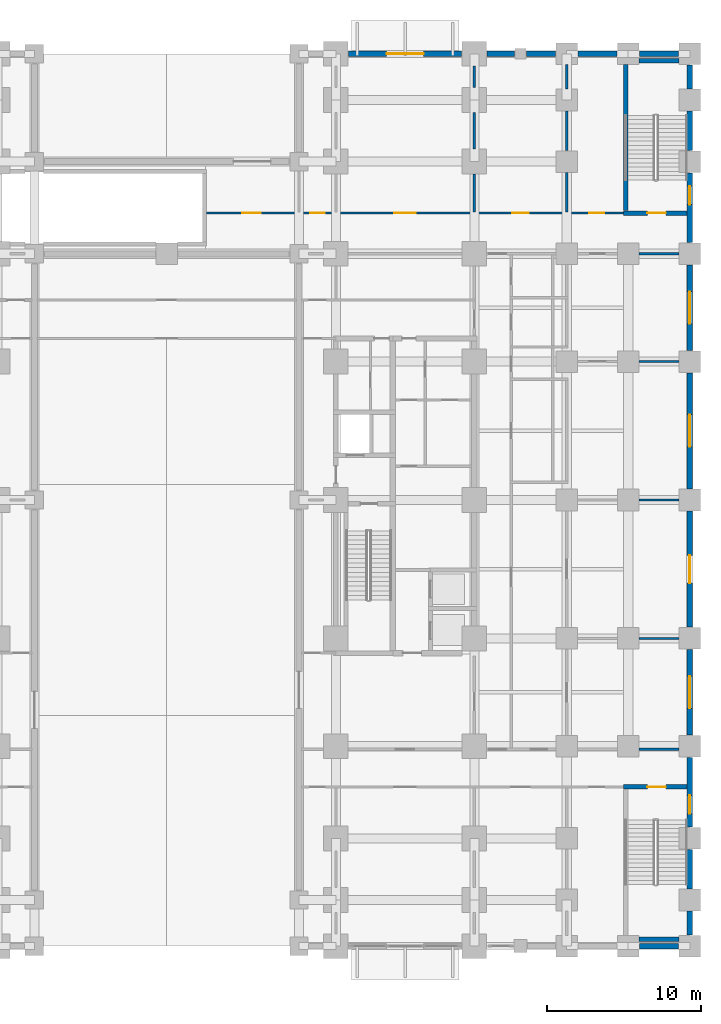
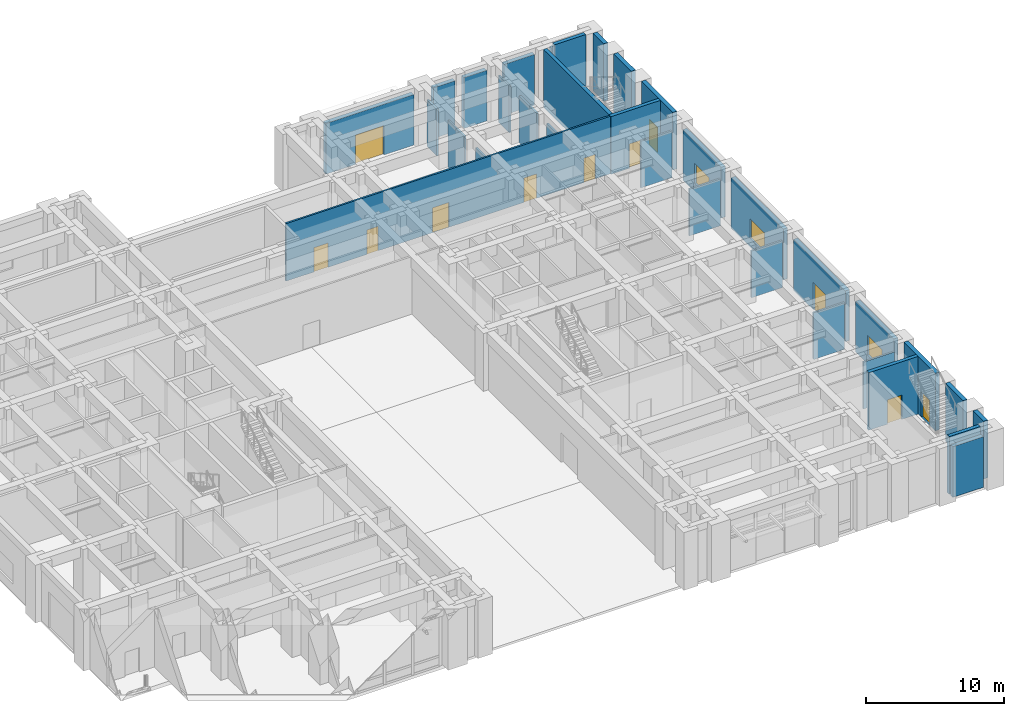
# One storey, part 12 of 20: 33 walls, 11 doors, 3 windows, 14 openings.
"""IFC4 building model written with IfcOpenShell, lengths in metres."""

import ifcopenshell
import ifcopenshell.guid

model = None  # the IFC model being written
_history = None  # IfcOwnerHistory: only IFC2X3 demands one
_inside = {}  # id of a spatial element -> (the spatial element, [elements in it])
_under = {}  # id of a project, library or spatial element -> (it, [spatial elements below it])
_declared = {}  # id of a project -> (the project, [libraries it declares])
_typed = {}  # id of a type object -> (the type object, [elements of that type])
_made_of = {}  # id of a material, layer set ... -> (it, [elements and type objects made of it])


def new_model(schema):
    """Start an empty IFC model of exactly this schema.

    Asked for "IFC4X3", IfcOpenShell would pick the latest addendum, in which some entities
    have other attributes; the version numbers below select the first issue.
    IFC2X3 requires an IfcOwnerHistory on every rooted entity: one is made here for all.
    """
    global model, _history
    if schema == "IFC4X3":
        model = ifcopenshell.file(schema_version=(4, 3, 0, 0))
    else:
        model = ifcopenshell.file(schema=schema)
    _inside.clear()
    _under.clear()
    _declared.clear()
    _typed.clear()
    _made_of.clear()
    _history = None
    if model.schema == "IFC2X3":
        org = make("IfcOrganization", Name="unknown")
        user = make(
            "IfcPersonAndOrganization",
            ThePerson=make("IfcPerson", FamilyName="unknown"),
            TheOrganization=org,
        )
        app = make(
            "IfcApplication",
            ApplicationDeveloper=org,
            Version="unknown",
            ApplicationFullName="unknown",
            ApplicationIdentifier="unknown",
        )
        _history = make(
            "IfcOwnerHistory",
            OwningUser=user,
            OwningApplication=app,
            ChangeAction="ADDED",
            CreationDate=0,
        )
    return model


def make(cls, **values):
    """One entity of the class cls with the attributes given. An attribute that is None is left unset."""
    return model.create_entity(
        cls, **{name: value for name, value in values.items() if value is not None}
    )


def rooted(cls, **values):
    """An entity with a GlobalId (a new one), such as an element, a storey or a relation."""
    return make(cls, GlobalId=ifcopenshell.guid.new(), OwnerHistory=_history, **values)


def si_unit(unit_type, name, prefix=None):
    """IfcSIUnit, for example si_unit("LENGTHUNIT", "METRE", prefix="MILLI")."""
    return make("IfcSIUnit", UnitType=unit_type, Prefix=prefix, Name=name)


def assignment(units):
    """IfcUnitAssignment: the units of a project."""
    return None if units is None else make("IfcUnitAssignment", Units=units)


def point(xyz):
    """IfcCartesianPoint."""
    return None if xyz is None else make("IfcCartesianPoint", Coordinates=xyz)


def direction(xyz):
    """IfcDirection."""
    return None if xyz is None else make("IfcDirection", DirectionRatios=xyz)


def frame(location, z_axis=None, x_axis=None):
    """IfcAxis2Placement3D, a coordinate frame: its origin and axes. An axis left out is left unset."""
    return make(
        "IfcAxis2Placement3D",
        Location=point(location),
        Axis=direction(z_axis),
        RefDirection=direction(x_axis),
    )


def frame_2d(location, x_axis=None):
    """IfcAxis2Placement2D, a coordinate frame in the plane: its origin and x axis."""
    return make(
        "IfcAxis2Placement2D", Location=point(location), RefDirection=direction(x_axis)
    )


def origin():
    """The frame at (0, 0, 0) with its axes left unset."""
    return frame((0.0, 0.0, 0.0))


def place(relative_to, where):
    """IfcLocalPlacement: puts the frame where relative to a parent placement (None: the world)."""
    return make(
        "IfcLocalPlacement", PlacementRelTo=relative_to, RelativePlacement=where
    )


def context(
    kind, dimensions, precision=None, world=None, true_north=None, identifier=None
):
    """IfcGeometricRepresentationContext, for example the 3D "Model" context."""
    return make(
        "IfcGeometricRepresentationContext",
        ContextIdentifier=identifier,
        ContextType=kind,
        CoordinateSpaceDimension=dimensions,
        Precision=precision,
        WorldCoordinateSystem=world,
        TrueNorth=true_north,
    )


def subcontext(parent, identifier, kind, view, scale=None):
    """IfcGeometricRepresentationSubContext, for example "Body" below "Model"."""
    return make(
        "IfcGeometricRepresentationSubContext",
        ContextIdentifier=identifier,
        ContextType=kind,
        ParentContext=parent,
        TargetScale=scale,
        TargetView=view,
    )


def project(units=None, contexts=None):
    """IfcProject with its units and contexts."""
    return rooted(
        "IfcProject",
        Name="project",
        RepresentationContexts=contexts,
        UnitsInContext=assignment(units),
    )


def spatial(cls, under=None, at=None, **own):
    """A site, building, storey or space (cls), placed at a placement, below another one or the project."""
    s = rooted(cls, ObjectPlacement=at, **own)
    if under is not None:
        _under.setdefault(under.id(), (under, []))[1].append(s)
    return s


def profile(cls, at=None, kind="AREA", **sizes):
    """A parametric profile (cls). Its sizes go by their IFC names, for example OverallWidth=200.0."""
    return make(cls, ProfileType=kind, Position=at, **sizes)


def rectangle(**sizes):
    """IfcRectangleProfileDef."""
    return profile("IfcRectangleProfileDef", **sizes)


def extrude(swept, where, along, depth):
    """IfcExtrudedAreaSolid: the profile swept, set in the frame where, extruded along a direction by depth."""
    return make(
        "IfcExtrudedAreaSolid",
        SweptArea=swept,
        Position=where,
        ExtrudedDirection=direction(along),
        Depth=depth,
    )


def shape(context_of_items, identifier, shape_type, items):
    """IfcShapeRepresentation: the items that make up one representation, for example the "Body"."""
    return make(
        "IfcShapeRepresentation",
        ContextOfItems=context_of_items,
        RepresentationIdentifier=identifier,
        RepresentationType=shape_type,
        Items=items,
    )


def material(Name=None, Category=None):
    """IfcMaterial."""
    return make("IfcMaterial", Name=Name, Category=Category)


def layer(
    of_material, thickness, ventilated=None, Name=None, Category=None, Priority=None
):
    """IfcMaterialLayer: one layer of a wall or slab, of a material (None: an air gap)."""
    return make(
        "IfcMaterialLayer",
        Material=of_material,
        LayerThickness=thickness,
        IsVentilated=ventilated,
        Name=Name,
        Category=Category,
        Priority=Priority,
    )


def layer_set(layers, Name=None):
    """IfcMaterialLayerSet."""
    return make("IfcMaterialLayerSet", MaterialLayers=layers, LayerSetName=Name)


def made_of(thing, what):
    """Note that an element or type object is made of a material, layer set ...; save() writes the relation."""
    if what is not None:
        _made_of.setdefault(what.id(), (what, []))[1].append(thing)
    return thing


def type_object(cls, material=None, **own):
    """A type object (cls), such as IfcWallType, which elements share."""
    return made_of(rooted(cls, **own), material)


def element(
    cls,
    number,
    at=None,
    inside=None,
    cuts=None,
    type_object=None,
    material=None,
    context=None,
    identifier="Body",
    shape_type=None,
    held_by="IfcProductDefinitionShape",
    body=None,
    shapes=None,
    **own,
):
    """One element of the class cls, such as IfcWall. Its Tag is "e" and its number.

    at: its placement. inside: the storey or other place that contains it. cuts: it is an
    opening in that element (IfcRelVoidsElement). A single representation is given by context,
    identifier, shape_type and body (its items); several are given by shapes. held_by: the class
    of the entity that holds the representations. save() writes the other relations.
    """
    e = rooted(cls, Tag="e%d" % number, ObjectPlacement=at, **own)
    if body is not None:
        shapes = [shape(context, identifier, shape_type, body)]
    if shapes is not None:
        e.Representation = make(held_by, Representations=shapes)
    if inside is not None:
        _inside.setdefault(inside.id(), (inside, []))[1].append(e)
    if cuts is not None:
        rooted(
            "IfcRelVoidsElement", RelatingBuildingElement=cuts, RelatedOpeningElement=e
        )
    if type_object is not None:
        _typed.setdefault(type_object.id(), (type_object, []))[1].append(e)
    return made_of(e, material)


def fill(opening, filler):
    """IfcRelFillsElement: the door or window that sits in an opening."""
    return rooted(
        "IfcRelFillsElement",
        RelatingOpeningElement=opening,
        RelatedBuildingElement=filler,
    )


def aggregate(whole, parts):
    """IfcRelAggregates: a whole, such as a stair, and the parts it consists of."""
    return rooted("IfcRelAggregates", RelatingObject=whole, RelatedObjects=parts)


def save(model, path):
    """Write the relations noted so far, then the file.

    IfcRelAggregates (storeys below a building ...), IfcRelContainedInSpatialStructure (elements
    in a storey), IfcRelDefinesByType, IfcRelAssociatesMaterial and IfcRelDeclares: one each for
    every whole, place, type object, material and project.
    """
    for whole, parts in _under.values():
        aggregate(whole, parts)
    for where, things in _inside.values():
        rooted(
            "IfcRelContainedInSpatialStructure",
            RelatedElements=things,
            RelatingStructure=where,
        )
    for kind, things in _typed.values():
        rooted("IfcRelDefinesByType", RelatedObjects=things, RelatingType=kind)
    for what, things in _made_of.values():
        rooted("IfcRelAssociatesMaterial", RelatedObjects=things, RelatingMaterial=what)
    for by, libraries in _declared.values():
        rooted("IfcRelDeclares", RelatingContext=by, RelatedDefinitions=libraries)
    model.write(path)


model = new_model("IFC4")

# Units and contexts
model_context = context("Model", 3, precision=1e-05, world=origin(), true_north=direction((0.0, 1.0)))
body_context = subcontext(model_context, "Body", "Model", "MODEL_VIEW")
ifc_project = project(units=[si_unit("LENGTHUNIT", "METRE"), si_unit("AREAUNIT", "SQUARE_METRE"), si_unit("VOLUMEUNIT", "CUBIC_METRE"), si_unit("PLANEANGLEUNIT", "RADIAN"), si_unit("MASSUNIT", "GRAM", prefix="KILO")], contexts=[model_context])

# Site, building, storey
site_placement = place(None, origin())
site = spatial("IfcSite", under=ifc_project, at=site_placement, CompositionType="ELEMENT")
building_placement = place(site_placement, origin())
building = spatial("IfcBuilding", under=site, at=building_placement, Name="Zulmaris Gate Convention Tower", CompositionType="ELEMENT")
storey_placement = place(building_placement, origin())
storey = spatial("IfcBuildingStorey", under=building, at=storey_placement, Name="L00", CompositionType="ELEMENT", Elevation=0.0)

# Wall
ifc_material_1 = material(Name="Concrete C50/60", Category="concrete")
ifc_layer_1 = layer(ifc_material_1, 0.300048828125, Name="Concrete C50/60")
ifc_layer_set_1 = layer_set([ifc_layer_1], Name="Concrete C50/60")
wall_type_1 = type_object("IfcWallType", Name="CORE-300", PredefinedType="SHEAR", material=ifc_layer_set_1)
wall_1_placement = place(storey_placement, frame((30.7041015625, -28.550048828125, 0.0), z_axis=(0.0, 0.0, 1.0), x_axis=(1.0, 0.0, 0.0)))
element("IfcWall", 1, at=wall_1_placement, inside=storey, type_object=wall_type_1, Name="WL-L00-002", PredefinedType="SHEAR", context=body_context, shape_type="SweptSolid", body=[
    extrude(rectangle(XDim=2.591796875, YDim=0.300048828125, at=frame_2d((1.2958984375, 0.0))), origin(), (0.0, 0.0, 1.0), 5.08984375),
])

# Wall, opening, door
wall_2_placement = place(storey_placement, frame((29.699951171875, -18.64990234375, 0.0), z_axis=(0.0, 0.0, 1.0), x_axis=(1.0, 0.0, 0.0)))
wall_2 = element("IfcWall", 2, at=wall_2_placement, inside=storey, type_object=wall_type_1, Name="WL-L00-004", PredefinedType="SHEAR", context=body_context, shape_type="SweptSolid", body=[
    extrude(rectangle(XDim=4.135009765625, YDim=0.300048828125, at=frame_2d((2.0673828125, 0.0))), origin(), (0.0, 0.0, 1.0), 5.08984375),
])
opening_1_placement = place(wall_2_placement, frame((1.550048828125, 0.0, 0.0)))
opening_1 = element("IfcOpeningElement", 3, at=opening_1_placement, cuts=wall_2, Name="Opening D-13", PredefinedType="OPENING", context=body_context, shape_type="SweptSolid", body=[
    extrude(rectangle(XDim=1.199951171875, YDim=2.14990234375, at=frame_2d((0.60009765625, 1.074951171875))), frame((0.0, 0.16015625, 0.0), z_axis=(0.0, -1.0, 0.0), x_axis=(1.0, 0.0, 0.0)), (0.0, 0.0, 1.0), 0.320068359375),
])
ifc_material_2 = material(Name="Fire-Rated Steel", Category="steel")
door_type_1 = type_object("IfcDoorType", Name="DR-1200-FD", OperationType="NOTDEFINED", PredefinedType="DOOR", material=ifc_material_2)
door_1_placement = place(opening_1_placement, origin())
door_1 = element("IfcDoor", 4, at=door_1_placement, inside=storey, type_object=door_type_1, Name="L00 Exit Stair ST-6 Door 29", OperationType="SINGLE_SWING_RIGHT", OverallHeight=2.14990234375, OverallWidth=1.199951171875, PredefinedType="DOOR", context=body_context, shape_type="SweptSolid", body=[
    extrude(rectangle(XDim=1.199951171875, YDim=2.14990234375, at=frame_2d((0.60009765625, 1.074951171875))), frame((0.0, 0.02490234375, 0.0), z_axis=(0.0, -1.0, 0.0), x_axis=(1.0, 0.0, 0.0)), (0.0, 0.0, 1.0), 0.050048828125),
])
fill(opening_1, door_1)

wall_3_placement = place(storey_placement, frame((29.699951171875, 18.64990234375, 0.0), z_axis=(0.0, 0.0, 1.0), x_axis=(1.0, 0.0, 0.0)))
wall_3 = element("IfcWall", 5, at=wall_3_placement, inside=storey, type_object=wall_type_1, Name="WL-L00-028", PredefinedType="SHEAR", context=body_context, shape_type="SweptSolid", body=[
    extrude(rectangle(XDim=4.135009765625, YDim=0.300048828125, at=frame_2d((2.0673828125, 0.0))), origin(), (0.0, 0.0, 1.0), 5.08984375),
])
opening_2_placement = place(wall_3_placement, frame((1.550048828125, 0.0, 0.0)))
opening_2 = element("IfcOpeningElement", 6, at=opening_2_placement, cuts=wall_3, Name="Opening D-13", PredefinedType="OPENING", context=body_context, shape_type="SweptSolid", body=[
    extrude(rectangle(XDim=1.199951171875, YDim=2.14990234375, at=frame_2d((0.60009765625, 1.074951171875))), frame((0.0, 0.16015625, 0.0), z_axis=(0.0, -1.0, 0.0), x_axis=(1.0, 0.0, 0.0)), (0.0, 0.0, 1.0), 0.320068359375),
])
door_2_placement = place(opening_2_placement, origin())
door_2 = element("IfcDoor", 7, at=door_2_placement, inside=storey, type_object=door_type_1, Name="L00 Exit Stair ST-5 Door 28", OperationType="SINGLE_SWING_LEFT", OverallHeight=2.14990234375, OverallWidth=1.199951171875, PredefinedType="DOOR", context=body_context, shape_type="SweptSolid", body=[
    extrude(rectangle(XDim=1.199951171875, YDim=2.14990234375, at=frame_2d((0.60009765625, 1.074951171875))), frame((0.0, 0.02490234375, 0.0), z_axis=(0.0, -1.0, 0.0), x_axis=(1.0, 0.0, 0.0)), (0.0, 0.0, 1.0), 0.050048828125),
])
fill(opening_2, door_2)

# Walls
wall_4_placement = place(storey_placement, frame((30.7041015625, 28.550048828125, 0.0), z_axis=(0.0, 0.0, 1.0), x_axis=(1.0, 0.0, 0.0)))
element("IfcWall", 8, at=wall_4_placement, inside=storey, type_object=wall_type_1, Name="WL-L00-030", PredefinedType="SHEAR", context=body_context, shape_type="SweptSolid", body=[
    extrude(rectangle(XDim=2.591796875, YDim=0.300048828125, at=frame_2d((1.2958984375, 0.0))), origin(), (0.0, 0.0, 1.0), 5.08984375),
])
wall_5_placement = place(storey_placement, frame((29.85009765625, 18.802001953125, 0.0), z_axis=(0.0, 0.0, 1.0), x_axis=(0.0, 1.0, 0.0)))
element("IfcWall", 9, at=wall_5_placement, inside=storey, type_object=wall_type_1, Name="WL-L00-107", PredefinedType="SHEAR", context=body_context, shape_type="SweptSolid", body=[
    extrude(rectangle(XDim=9.493896484375, YDim=0.300048828125, at=frame_2d((4.7470703125, 0.0))), origin(), (0.0, 0.0, 1.0), 5.08984375),
])
ifc_material_3 = material(Name="Gypsum Metal Stud Partition")
ifc_layer_2 = layer(ifc_material_3, 0.14990234375, Name="Gypsum Metal Stud Partition")
ifc_layer_set_2 = layer_set([ifc_layer_2], Name="Gypsum Metal Stud Partition")
wall_type_2 = type_object("IfcWallType", Name="PART-150", PredefinedType="PARTITIONING", material=ifc_layer_set_2)
for number, where, z_axis, x_axis, name in (
    (10, (30.7060546875, -16.199951171875, 0.0), (0.0, 0.0, 1.0), (1.0, 0.0, 0.0), "WL-L00-036S4"),
    (11, (30.7060546875, -9.0, 0.0), (0.0, 0.0, 1.0), (1.0, 0.0, 0.0), "WL-L00-040S1"),
    (12, (30.7060546875, 0.0, 0.0), (0.0, 0.0, 1.0), (1.0, 0.0, 0.0), "WL-L00-046S1"),
    (13, (30.7060546875, 9.0, 0.0), (0.0, 0.0, 1.0), (1.0, 0.0, 0.0), "WL-L00-052S1"),
    (14, (30.7060546875, 16.0, 0.0), (0.0, 0.0, 1.0), (1.0, 0.0, 0.0), "WL-L00-063S4"),
):
    element("IfcWall", number, at=place(storey_placement, frame(where, z_axis=z_axis, x_axis=x_axis)), inside=storey, type_object=wall_type_2, Name=name, PredefinedType="PARTITIONING", context=body_context, shape_type="SweptSolid", body=[
        extrude(rectangle(XDim=2.587890625, YDim=0.14990234375, at=frame_2d((1.2939453125, 0.0))), origin(), (0.0, 0.0, 1.0), 4.1318359375),
    ])

# Wall, openings, doors
wall_6_placement = place(storey_placement, frame((2.577880859375, 18.64990234375, 0.0), z_axis=(0.0, 0.0, 1.0), x_axis=(1.0, 0.0, 0.0)))
wall_6 = element("IfcWall", 15, at=wall_6_placement, inside=storey, type_object=wall_type_2, Name="WL-L00-064", PredefinedType="PARTITIONING", context=body_context, shape_type="SweptSolid", body=[
    extrude(rectangle(XDim=27.272216796875, YDim=0.14990234375, at=frame_2d((13.63623046875, 0.0))), origin(), (0.0, 0.0, 1.0), 5.08984375),
])
opening_3_placement = place(wall_6_placement, frame((2.322021484375, 0.0, 0.0)))
opening_3 = element("IfcOpeningElement", 16, at=opening_3_placement, cuts=wall_6, Name="Opening D-13", PredefinedType="OPENING", context=body_context, shape_type="SweptSolid", body=[
    extrude(rectangle(XDim=1.199951171875, YDim=2.14990234375, at=frame_2d((0.60009765625, 1.074951171875))), frame((0.0, 0.0849609375, 0.0), z_axis=(0.0, -1.0, 0.0), x_axis=(1.0, 0.0, 0.0)), (0.0, 0.0, 1.0), 0.169921875),
])
opening_4_placement = place(wall_6_placement, frame((6.7470703125, 0.0, 0.0)))
opening_4 = element("IfcOpeningElement", 17, at=opening_4_placement, cuts=wall_6, Name="Opening D-11", PredefinedType="OPENING", context=body_context, shape_type="SweptSolid", body=[
    extrude(rectangle(XDim=0.949951171875, YDim=2.14990234375, at=frame_2d((0.47509765625, 1.074951171875))), frame((0.0, 0.0849609375, 0.0), z_axis=(0.0, -1.0, 0.0), x_axis=(1.0, 0.0, 0.0)), (0.0, 0.0, 1.0), 0.169921875),
])
opening_5_placement = place(wall_6_placement, frame((12.221923828125, 0.0, 0.0)))
opening_5 = element("IfcOpeningElement", 18, at=opening_5_placement, cuts=wall_6, Name="Opening D-14", PredefinedType="OPENING", context=body_context, shape_type="SweptSolid", body=[
    extrude(rectangle(XDim=1.39990234375, YDim=2.199951171875, at=frame_2d((0.699951171875, 1.10009765625))), frame((0.0, 0.0849609375, 0.0), z_axis=(0.0, -1.0, 0.0), x_axis=(1.0, 0.0, 0.0)), (0.0, 0.0, 1.0), 0.169921875),
])
opening_6_placement = place(wall_6_placement, frame((19.89697265625, 0.0, 0.0)))
opening_6 = element("IfcOpeningElement", 19, at=opening_6_placement, cuts=wall_6, Name="Opening D-09", PredefinedType="OPENING", context=body_context, shape_type="SweptSolid", body=[
    extrude(rectangle(XDim=1.050048828125, YDim=2.14990234375, at=frame_2d((0.52490234375, 1.074951171875))), frame((0.0, 0.0849609375, 0.0), z_axis=(0.0, -1.0, 0.0), x_axis=(1.0, 0.0, 0.0)), (0.0, 0.0, 1.0), 0.169921875),
])
opening_7_placement = place(wall_6_placement, frame((24.89697265625, 0.0, 0.0)))
opening_7 = element("IfcOpeningElement", 20, at=opening_7_placement, cuts=wall_6, Name="Opening D-11", PredefinedType="OPENING", context=body_context, shape_type="SweptSolid", body=[
    extrude(rectangle(XDim=0.949951171875, YDim=2.14990234375, at=frame_2d((0.47509765625, 1.074951171875))), frame((0.0, 0.0849609375, 0.0), z_axis=(0.0, -1.0, 0.0), x_axis=(1.0, 0.0, 0.0)), (0.0, 0.0, 1.0), 0.169921875),
])
door_type_2 = type_object("IfcDoorType", Name="DR-1050-FD", OperationType="NOTDEFINED", PredefinedType="DOOR", material=ifc_material_2)
door_3_placement = place(opening_6_placement, origin())
door_3 = element("IfcDoor", 21, at=door_3_placement, inside=storey, type_object=door_type_2, Name="L00 Media Press Office Door 78", OperationType="SINGLE_SWING_LEFT", OverallHeight=2.14990234375, OverallWidth=1.050048828125, PredefinedType="DOOR", context=body_context, shape_type="SweptSolid", body=[
    extrude(rectangle(XDim=1.050048828125, YDim=2.14990234375, at=frame_2d((0.52490234375, 1.074951171875))), frame((0.0, 0.02490234375, 0.0), z_axis=(0.0, -1.0, 0.0), x_axis=(1.0, 0.0, 0.0)), (0.0, 0.0, 1.0), 0.050048828125),
])
fill(opening_6, door_3)
door_4_placement = place(opening_3_placement, origin())
door_4 = element("IfcDoor", 22, at=door_4_placement, inside=storey, type_object=door_type_1, Name="L00 North Portal Vestibule Door 49", OperationType="SINGLE_SWING_RIGHT", OverallHeight=2.14990234375, OverallWidth=1.199951171875, PredefinedType="DOOR", context=body_context, shape_type="SweptSolid", body=[
    extrude(rectangle(XDim=1.199951171875, YDim=2.14990234375, at=frame_2d((0.60009765625, 1.074951171875))), frame((0.0, 0.02490234375, 0.0), z_axis=(0.0, -1.0, 0.0), x_axis=(1.0, 0.0, 0.0)), (0.0, 0.0, 1.0), 0.050048828125),
])
fill(opening_3, door_4)
ifc_material_4 = material(Name="Fire-Rated Glazed Steel", Category="steel")
door_type_3 = type_object("IfcDoorType", Name="DR-1400-FD", OperationType="NOTDEFINED", PredefinedType="DOOR", material=ifc_material_4)
door_5_placement = place(opening_5_placement, origin())
door_5 = element("IfcDoor", 23, at=door_5_placement, inside=storey, type_object=door_type_3, Name="L00 VIP Arrival Lounge Door 77", OperationType="SINGLE_SWING_RIGHT", OverallHeight=2.199951171875, OverallWidth=1.39990234375, PredefinedType="DOOR", context=body_context, shape_type="SweptSolid", body=[
    extrude(rectangle(XDim=1.39990234375, YDim=2.199951171875, at=frame_2d((0.699951171875, 1.10009765625))), frame((0.0, 0.02490234375, 0.0), z_axis=(0.0, -1.0, 0.0), x_axis=(1.0, 0.0, 0.0)), (0.0, 0.0, 1.0), 0.050048828125),
])
fill(opening_5, door_5)
ifc_material_5 = material(Name="Fire-Rated Timber", Category="wood")
door_type_4 = type_object("IfcDoorType", Name="DR-950-FD", OperationType="NOTDEFINED", PredefinedType="DOOR", material=ifc_material_5)
door_6_placement = place(opening_4_placement, origin())
door_6 = element("IfcDoor", 24, at=door_6_placement, inside=storey, type_object=door_type_4, Name="L00 Protocol Office Door 76", OperationType="SINGLE_SWING_LEFT", OverallHeight=2.14990234375, OverallWidth=0.949951171875, PredefinedType="DOOR", context=body_context, shape_type="SweptSolid", body=[
    extrude(rectangle(XDim=0.949951171875, YDim=2.14990234375, at=frame_2d((0.47509765625, 1.074951171875))), frame((0.0, 0.02490234375, 0.0), z_axis=(0.0, -1.0, 0.0), x_axis=(1.0, 0.0, 0.0)), (0.0, 0.0, 1.0), 0.050048828125),
])
fill(opening_4, door_6)
door_7_placement = place(opening_7_placement, origin())
door_7 = element("IfcDoor", 25, at=door_7_placement, inside=storey, type_object=door_type_4, Name="L00 VIP Screening Store Door 79", OperationType="SINGLE_SWING_RIGHT", OverallHeight=2.14990234375, OverallWidth=0.949951171875, PredefinedType="DOOR", context=body_context, shape_type="SweptSolid", body=[
    extrude(rectangle(XDim=0.949951171875, YDim=2.14990234375, at=frame_2d((0.47509765625, 1.074951171875))), frame((0.0, 0.02490234375, 0.0), z_axis=(0.0, -1.0, 0.0), x_axis=(1.0, 0.0, 0.0)), (0.0, 0.0, 1.0), 0.050048828125),
])
fill(opening_7, door_7)

# Walls
wall_7_placement = place(storey_placement, frame((20.0, 18.72802734375, 0.0), z_axis=(0.0, 0.0, 1.0), x_axis=(0.0, 1.0, 0.0)))
element("IfcWall", 26, at=wall_7_placement, inside=storey, type_object=wall_type_2, Name="WL-L00-138", PredefinedType="PARTITIONING", context=body_context, shape_type="SweptSolid", body=[
    extrude(rectangle(XDim=2.466064453125, YDim=0.14990234375, at=frame_2d((1.23291015625, 0.0))), origin(), (0.0, 0.0, 1.0), 4.1318359375),
])
wall_8_placement = place(storey_placement, frame((20.0, 22.805908203125, 0.0), z_axis=(0.0, 0.0, 1.0), x_axis=(0.0, 1.0, 0.0)))
element("IfcWall", 27, at=wall_8_placement, inside=storey, type_object=wall_type_2, Name="WL-L00-138S1", PredefinedType="PARTITIONING", context=body_context, shape_type="SweptSolid", body=[
    extrude(rectangle(XDim=2.38818359375, YDim=0.14990234375, at=frame_2d((1.194091796875, 0.0))), origin(), (0.0, 0.0, 1.0), 4.1318359375),
])
wall_9_placement = place(storey_placement, frame((20.0, 26.805908203125, 0.0), z_axis=(0.0, 0.0, 1.0), x_axis=(0.0, 1.0, 0.0)))
element("IfcWall", 28, at=wall_9_placement, inside=storey, type_object=wall_type_2, Name="WL-L00-138S2", PredefinedType="PARTITIONING", context=body_context, shape_type="SweptSolid", body=[
    extrude(rectangle(XDim=1.38818359375, YDim=0.14990234375, at=frame_2d((0.694091796875, 0.0))), origin(), (0.0, 0.0, 1.0), 4.1318359375),
])
wall_10_placement = place(storey_placement, frame((26.0, 18.72802734375, 0.0), z_axis=(0.0, 0.0, 1.0), x_axis=(0.0, 1.0, 0.0)))
element("IfcWall", 29, at=wall_10_placement, inside=storey, type_object=wall_type_2, Name="WL-L00-157", PredefinedType="PARTITIONING", context=body_context, shape_type="SweptSolid", body=[
    extrude(rectangle(XDim=2.56591796875, YDim=0.14990234375, at=frame_2d((1.282958984375, 0.0))), origin(), (0.0, 0.0, 1.0), 4.1318359375),
])
wall_11_placement = place(storey_placement, frame((26.0, 22.7060546875, 0.0), z_axis=(0.0, 0.0, 1.0), x_axis=(0.0, 1.0, 0.0)))
element("IfcWall", 30, at=wall_11_placement, inside=storey, type_object=wall_type_2, Name="WL-L00-157S1", PredefinedType="PARTITIONING", context=body_context, shape_type="SweptSolid", body=[
    extrude(rectangle(XDim=2.587890625, YDim=0.14990234375, at=frame_2d((1.2939453125, 0.0))), origin(), (0.0, 0.0, 1.0), 4.1318359375),
])
wall_12_placement = place(storey_placement, frame((26.0, 26.7060546875, 0.0), z_axis=(0.0, 0.0, 1.0), x_axis=(0.0, 1.0, 0.0)))
element("IfcWall", 31, at=wall_12_placement, inside=storey, type_object=wall_type_2, Name="WL-L00-157S2", PredefinedType="PARTITIONING", context=body_context, shape_type="SweptSolid", body=[
    extrude(rectangle(XDim=1.587890625, YDim=0.14990234375, at=frame_2d((0.7939453125, 0.0))), origin(), (0.0, 0.0, 1.0), 4.1318359375),
])
ifc_material_6 = material(Name="Precast concrete C45/55", Category="concrete")
ifc_layer_3 = layer(ifc_material_6, 0.35009765625, Name="Precast concrete C45/55")
ifc_layer_set_3 = layer_set([ifc_layer_3], Name="Precast concrete C45/55")
wall_type_3 = type_object("IfcWallType", Name="PRECAST-POD-350", PredefinedType="STANDARD", material=ifc_layer_set_3)
wall_13_placement = place(storey_placement, frame((30.72998046875, -29.0, 0.0), z_axis=(0.0, 0.0, 1.0), x_axis=(1.0, 0.0, 0.0)))
element("IfcWall", 32, at=wall_13_placement, inside=storey, type_object=wall_type_3, Name="EW-L00-S-300_0", PredefinedType="STANDARD", context=body_context, shape_type="SweptSolid", body=[
    extrude(rectangle(XDim=2.5400390625, YDim=0.35009765625, at=frame_2d((1.27001953125, 0.0))), origin(), (0.0, 0.0, 1.0), 4.48193359375),
])

# Wall, opening, door
wall_14_placement = place(storey_placement, frame((19.169921875, 29.0, 0.0), z_axis=(0.0, 0.0, 1.0), x_axis=(-1.0, 0.0, 0.0)))
wall_14 = element("IfcWall", 33, at=wall_14_placement, inside=storey, type_object=wall_type_3, Name="EW-L00-N-110_0", PredefinedType="STANDARD", context=body_context, shape_type="SweptSolid", body=[
    extrude(rectangle(XDim=7.33984375, YDim=0.35009765625, at=frame_2d((3.669921875, 0.0))), origin(), (0.0, 0.0, 1.0), 4.48193359375),
])
opening_8_placement = place(wall_14_placement, frame((2.469970703125, 0.0, 0.0)))
opening_8 = element("IfcOpeningElement", 34, at=opening_8_placement, cuts=wall_14, Name="Opening D-01", PredefinedType="OPENING", context=body_context, shape_type="SweptSolid", body=[
    extrude(rectangle(XDim=2.39990234375, YDim=2.60009765625, at=frame_2d((1.199951171875, 1.300048828125))), frame((0.0, 0.18505859375, 0.0), z_axis=(0.0, -1.0, 0.0), x_axis=(1.0, 0.0, 0.0)), (0.0, 0.0, 1.0), 0.3701171875),
])
ifc_material_7 = material(Name="Anodised Aluminium and Laminated Glass", Category="aluminium")
door_type_5 = type_object("IfcDoorType", Name="ED-2400", OperationType="DOUBLE_DOOR_DOUBLE_SWING", PredefinedType="DOOR", material=ifc_material_7)
door_8_placement = place(opening_8_placement, origin())
door_8 = element("IfcDoor", 35, at=door_8_placement, inside=storey, type_object=door_type_5, Name="North VIP Drop-Off Entrance", OperationType="DOUBLE_DOOR_DOUBLE_SWING", OverallHeight=2.60009765625, OverallWidth=2.39990234375, PredefinedType="DOOR", context=body_context, shape_type="SweptSolid", body=[
    extrude(rectangle(XDim=2.39990234375, YDim=2.60009765625, at=frame_2d((1.199951171875, 1.300048828125))), frame((0.0, 0.02490234375, 0.0), z_axis=(0.0, -1.0, 0.0), x_axis=(1.0, 0.0, 0.0)), (0.0, 0.0, 1.0), 0.050048828125),
])
fill(opening_8, door_8)

# Walls
wall_15_placement = place(storey_placement, frame((22.6201171875, 29.0, 0.0), z_axis=(0.0, 0.0, 1.0), x_axis=(-1.0, 0.0, 0.0)))
element("IfcWall", 36, at=wall_15_placement, inside=storey, type_object=wall_type_3, Name="EW-L00-N-200_0", PredefinedType="STANDARD", context=body_context, shape_type="SweptSolid", body=[
    extrude(rectangle(XDim=1.7900390625, YDim=0.35009765625, at=frame_2d((0.89501953125, 0.0))), origin(), (0.0, 0.0, 1.0), 4.48193359375),
])
wall_16_placement = place(storey_placement, frame((25.27001953125, 29.0, 0.0), z_axis=(0.0, 0.0, 1.0), x_axis=(-1.0, 0.0, 0.0)))
element("IfcWall", 37, at=wall_16_placement, inside=storey, type_object=wall_type_3, Name="EW-L00-N-230_0", PredefinedType="STANDARD", context=body_context, shape_type="SweptSolid", body=[
    extrude(rectangle(XDim=1.89013671875, YDim=0.35009765625, at=frame_2d((0.945068359375, 0.0))), origin(), (0.0, 0.0, 1.0), 4.48193359375),
])
for number, where, z_axis, x_axis, name in (
    (38, (29.27001953125, 29.0, 0.0), (0.0, 0.0, 1.0), (-1.0, 0.0, 0.0), "EW-L00-N-260_0"),
    (39, (33.27001953125, 29.0, 0.0), (0.0, 0.0, 1.0), (-1.0, 0.0, 0.0), "EW-L00-N-300_0"),
):
    element("IfcWall", number, at=place(storey_placement, frame(where, z_axis=z_axis, x_axis=x_axis)), inside=storey, type_object=wall_type_3, Name=name, PredefinedType="STANDARD", context=body_context, shape_type="SweptSolid", body=[
        extrude(rectangle(XDim=2.5400390625, YDim=0.35009765625, at=frame_2d((1.27001953125, 0.0))), origin(), (0.0, 0.0, 1.0), 4.48193359375),
    ])
wall_17_placement = place(storey_placement, frame((34.0, -26.72998046875, 0.0), z_axis=(0.0, 0.0, 1.0), x_axis=(0.0, -1.0, 0.0)))
element("IfcWall", 40, at=wall_17_placement, inside=storey, type_object=wall_type_3, Name="EW-L00-E--29_0", PredefinedType="STANDARD", context=body_context, shape_type="SweptSolid", body=[
    extrude(rectangle(XDim=1.5400390625, YDim=0.35009765625, at=frame_2d((0.77001953125, 0.0))), origin(), (0.0, 0.0, 1.0), 5.08984375),
])
wall_18_placement = place(storey_placement, frame((34.0, -22.72998046875, 0.0), z_axis=(0.0, 0.0, 1.0), x_axis=(0.0, -1.0, 0.0)))
element("IfcWall", 41, at=wall_18_placement, inside=storey, type_object=wall_type_3, Name="EW-L00-E--26_0", PredefinedType="STANDARD", context=body_context, shape_type="SweptSolid", body=[
    extrude(rectangle(XDim=2.5400390625, YDim=0.35009765625, at=frame_2d((1.27001953125, 0.0))), origin(), (0.0, 0.0, 1.0), 5.08984375),
])

# Wall, opening, door
wall_19_placement = place(storey_placement, frame((34.0, -16.72998046875, 0.0), z_axis=(0.0, 0.0, 1.0), x_axis=(0.0, -1.0, 0.0)))
wall_19 = element("IfcWall", 42, at=wall_19_placement, inside=storey, type_object=wall_type_3, Name="EW-L00-E--22_0", PredefinedType="STANDARD", context=body_context, shape_type="SweptSolid", body=[
    extrude(rectangle(XDim=4.5400390625, YDim=0.35009765625, at=frame_2d((2.27001953125, 0.0))), origin(), (0.0, 0.0, 1.0), 5.08984375),
])
opening_9_placement = place(wall_19_placement, frame((2.469970703125, 0.0, 0.0)))
opening_9 = element("IfcOpeningElement", 43, at=opening_9_placement, cuts=wall_19, Name="Opening D-03", PredefinedType="OPENING", context=body_context, shape_type="SweptSolid", body=[
    extrude(rectangle(XDim=1.199951171875, YDim=2.199951171875, at=frame_2d((0.60009765625, 1.10009765625))), frame((0.0, 0.18505859375, 0.0), z_axis=(0.0, -1.0, 0.0), x_axis=(1.0, 0.0, 0.0)), (0.0, 0.0, 1.0), 0.3701171875),
])
ifc_material_8 = material(Name="Powder-Coated Steel", Category="steel")
door_type_6 = type_object("IfcDoorType", Name="ED-1200", OperationType="SINGLE_SWING_LEFT", PredefinedType="DOOR", material=ifc_material_8)
door_9_placement = place(opening_9_placement, origin())
door_9 = element("IfcDoor", 44, at=door_9_placement, inside=storey, type_object=door_type_6, Name="Exit Stair ST-6 Street Discharge Door", OperationType="SINGLE_SWING_RIGHT", OverallHeight=2.199951171875, OverallWidth=1.199951171875, PredefinedType="DOOR", context=body_context, shape_type="SweptSolid", body=[
    extrude(rectangle(XDim=1.199951171875, YDim=2.199951171875, at=frame_2d((0.60009765625, 1.10009765625))), frame((0.0, 0.02490234375, 0.0), z_axis=(0.0, -1.0, 0.0), x_axis=(1.0, 0.0, 0.0)), (0.0, 0.0, 1.0), 0.050048828125),
])
fill(opening_9, door_9)

# Wall, opening, window
wall_20_placement = place(storey_placement, frame((34.0, -9.72998046875, 0.0), z_axis=(0.0, 0.0, 1.0), x_axis=(0.0, -1.0, 0.0)))
wall_20 = element("IfcWall", 45, at=wall_20_placement, inside=storey, type_object=wall_type_3, Name="EW-L00-E--16_0", PredefinedType="STANDARD", context=body_context, shape_type="SweptSolid", body=[
    extrude(rectangle(XDim=5.5400390625, YDim=0.35009765625, at=frame_2d((2.77001953125, 0.0))), origin(), (0.0, 0.0, 1.0), 4.48193359375),
])
opening_10_placement = place(wall_20_placement, frame((1.719970703125, 0.0, 0.75)))
opening_10 = element("IfcOpeningElement", 46, at=opening_10_placement, cuts=wall_20, Name="Opening W-05", PredefinedType="OPENING", context=body_context, shape_type="SweptSolid", body=[
    extrude(rectangle(XDim=2.10009765625, YDim=1.75, at=frame_2d((1.050048828125, 0.875))), frame((0.0, 0.18505859375, 0.0), z_axis=(0.0, -1.0, 0.0), x_axis=(1.0, 0.0, 0.0)), (0.0, 0.0, 1.0), 0.3701171875),
])
ifc_material_9 = material(Name="Low-E Laminated Double Glazing in Aluminium Frame", Category="aluminium")
window_type = type_object("IfcWindowType", Name="WIN-2100x2400", PartitioningType="SINGLE_PANEL", PredefinedType="WINDOW", material=ifc_material_9)
window_1_placement = place(opening_10_placement, origin())
window_1 = element("IfcWindow", 47, at=window_1_placement, inside=storey, type_object=window_type, Name="WN-EW-L00-E--16_0", OverallHeight=1.75, OverallWidth=2.10009765625, PartitioningType="SINGLE_PANEL", PredefinedType="WINDOW", context=body_context, shape_type="SweptSolid", body=[
    extrude(rectangle(XDim=2.10009765625, YDim=1.75, at=frame_2d((1.050048828125, 0.875))), frame((0.0, 0.030029296875, 0.0), z_axis=(0.0, -1.0, 0.0), x_axis=(1.0, 0.0, 0.0)), (0.0, 0.0, 1.0), 0.06005859375),
])
fill(opening_10, window_1)

# Wall, opening, door
wall_21_placement = place(storey_placement, frame((34.0, -0.72998046875, 0.0), z_axis=(0.0, 0.0, 1.0), x_axis=(0.0, -1.0, 0.0)))
wall_21 = element("IfcWall", 48, at=wall_21_placement, inside=storey, type_object=wall_type_3, Name="EW-L00-E--9_0", PredefinedType="STANDARD", context=body_context, shape_type="SweptSolid", body=[
    extrude(rectangle(XDim=7.5400390625, YDim=0.35009765625, at=frame_2d((3.77001953125, 0.0))), origin(), (0.0, 0.0, 1.0), 4.48193359375),
])
opening_11_placement = place(wall_21_placement, frame((2.8701171875, 0.0, 0.0)))
opening_11 = element("IfcOpeningElement", 49, at=opening_11_placement, cuts=wall_21, Name="Opening D-02", PredefinedType="OPENING", context=body_context, shape_type="SweptSolid", body=[
    extrude(rectangle(XDim=1.800048828125, YDim=2.39990234375, at=frame_2d((0.89990234375, 1.199951171875))), frame((0.0, 0.18505859375, 0.0), z_axis=(0.0, -1.0, 0.0), x_axis=(1.0, 0.0, 0.0)), (0.0, 0.0, 1.0), 0.3701171875),
])
door_type_7 = type_object("IfcDoorType", Name="ED-1800", OperationType="DOUBLE_DOOR_SINGLE_SWING", PredefinedType="DOOR", material=ifc_material_7)
door_10_placement = place(opening_11_placement, origin())
door_10 = element("IfcDoor", 50, at=door_10_placement, inside=storey, type_object=door_type_7, Name="East Retail Street Entrance", OperationType="DOUBLE_DOOR_SINGLE_SWING", OverallHeight=2.39990234375, OverallWidth=1.800048828125, PredefinedType="DOOR", context=body_context, shape_type="SweptSolid", body=[
    extrude(rectangle(XDim=1.800048828125, YDim=2.39990234375, at=frame_2d((0.89990234375, 1.199951171875))), frame((0.0, 0.02490234375, 0.0), z_axis=(0.0, -1.0, 0.0), x_axis=(1.0, 0.0, 0.0)), (0.0, 0.0, 1.0), 0.050048828125),
])
fill(opening_11, door_10)

# Wall, opening, window
wall_22_placement = place(storey_placement, frame((34.0, 8.27001953125, 0.0), z_axis=(0.0, 0.0, 1.0), x_axis=(0.0, -1.0, 0.0)))
wall_22 = element("IfcWall", 51, at=wall_22_placement, inside=storey, type_object=wall_type_3, Name="EW-L00-E-0_0", PredefinedType="STANDARD", context=body_context, shape_type="SweptSolid", body=[
    extrude(rectangle(XDim=7.5400390625, YDim=0.35009765625, at=frame_2d((3.77001953125, 0.0))), origin(), (0.0, 0.0, 1.0), 4.48193359375),
])
opening_12_placement = place(wall_22_placement, frame((2.719970703125, 0.0, 0.75)))
opening_12 = element("IfcOpeningElement", 52, at=opening_12_placement, cuts=wall_22, Name="Opening W-05", PredefinedType="OPENING", context=body_context, shape_type="SweptSolid", body=[
    extrude(rectangle(XDim=2.10009765625, YDim=1.75, at=frame_2d((1.050048828125, 0.875))), frame((0.0, 0.18505859375, 0.0), z_axis=(0.0, -1.0, 0.0), x_axis=(1.0, 0.0, 0.0)), (0.0, 0.0, 1.0), 0.3701171875),
])
window_2_placement = place(opening_12_placement, origin())
window_2 = element("IfcWindow", 53, at=window_2_placement, inside=storey, type_object=window_type, Name="WN-EW-L00-E-0_0", OverallHeight=1.75, OverallWidth=2.10009765625, PartitioningType="SINGLE_PANEL", PredefinedType="WINDOW", context=body_context, shape_type="SweptSolid", body=[
    extrude(rectangle(XDim=2.10009765625, YDim=1.75, at=frame_2d((1.050048828125, 0.875))), frame((0.0, 0.030029296875, 0.0), z_axis=(0.0, -1.0, 0.0), x_axis=(1.0, 0.0, 0.0)), (0.0, 0.0, 1.0), 0.06005859375),
])
fill(opening_12, window_2)

wall_23_placement = place(storey_placement, frame((34.0, 15.27001953125, 0.0), z_axis=(0.0, 0.0, 1.0), x_axis=(0.0, -1.0, 0.0)))
wall_23 = element("IfcWall", 54, at=wall_23_placement, inside=storey, type_object=wall_type_3, Name="EW-L00-E-9_0", PredefinedType="STANDARD", context=body_context, shape_type="SweptSolid", body=[
    extrude(rectangle(XDim=5.5400390625, YDim=0.35009765625, at=frame_2d((2.77001953125, 0.0))), origin(), (0.0, 0.0, 1.0), 4.48193359375),
])
opening_13_placement = place(wall_23_placement, frame((1.719970703125, 0.0, 0.75)))
opening_13 = element("IfcOpeningElement", 55, at=opening_13_placement, cuts=wall_23, Name="Opening W-05", PredefinedType="OPENING", context=body_context, shape_type="SweptSolid", body=[
    extrude(rectangle(XDim=2.10009765625, YDim=1.75, at=frame_2d((1.050048828125, 0.875))), frame((0.0, 0.18505859375, 0.0), z_axis=(0.0, -1.0, 0.0), x_axis=(1.0, 0.0, 0.0)), (0.0, 0.0, 1.0), 0.3701171875),
])
window_3_placement = place(opening_13_placement, origin())
window_3 = element("IfcWindow", 56, at=window_3_placement, inside=storey, type_object=window_type, Name="WN-EW-L00-E-9_0", OverallHeight=1.75, OverallWidth=2.10009765625, PartitioningType="SINGLE_PANEL", PredefinedType="WINDOW", context=body_context, shape_type="SweptSolid", body=[
    extrude(rectangle(XDim=2.10009765625, YDim=1.75, at=frame_2d((1.050048828125, 0.875))), frame((0.0, 0.030029296875, 0.0), z_axis=(0.0, -1.0, 0.0), x_axis=(1.0, 0.0, 0.0)), (0.0, 0.0, 1.0), 0.06005859375),
])
fill(opening_13, window_3)

# Wall, opening, door
wall_24_placement = place(storey_placement, frame((34.0, 21.27001953125, 0.0), z_axis=(0.0, 0.0, 1.0), x_axis=(0.0, -1.0, 0.0)))
wall_24 = element("IfcWall", 57, at=wall_24_placement, inside=storey, type_object=wall_type_3, Name="EW-L00-E-16_0", PredefinedType="STANDARD", context=body_context, shape_type="SweptSolid", body=[
    extrude(rectangle(XDim=4.5400390625, YDim=0.35009765625, at=frame_2d((2.27001953125, 0.0))), origin(), (0.0, 0.0, 1.0), 5.08984375),
])
opening_14_placement = place(wall_24_placement, frame((0.8701171875, 0.0, 0.0)))
opening_14 = element("IfcOpeningElement", 58, at=opening_14_placement, cuts=wall_24, Name="Opening D-03", PredefinedType="OPENING", context=body_context, shape_type="SweptSolid", body=[
    extrude(rectangle(XDim=1.199951171875, YDim=2.199951171875, at=frame_2d((0.60009765625, 1.10009765625))), frame((0.0, 0.18505859375, 0.0), z_axis=(0.0, -1.0, 0.0), x_axis=(1.0, 0.0, 0.0)), (0.0, 0.0, 1.0), 0.3701171875),
])
door_11_placement = place(opening_14_placement, origin())
door_11 = element("IfcDoor", 59, at=door_11_placement, inside=storey, type_object=door_type_6, Name="Exit Stair ST-5 Street Discharge Door", OperationType="SINGLE_SWING_RIGHT", OverallHeight=2.199951171875, OverallWidth=1.199951171875, PredefinedType="DOOR", context=body_context, shape_type="SweptSolid", body=[
    extrude(rectangle(XDim=1.199951171875, YDim=2.199951171875, at=frame_2d((0.60009765625, 1.10009765625))), frame((0.0, 0.02490234375, 0.0), z_axis=(0.0, -1.0, 0.0), x_axis=(1.0, 0.0, 0.0)), (0.0, 0.0, 1.0), 0.050048828125),
])
fill(opening_14, door_11)

# Walls
wall_25_placement = place(storey_placement, frame((34.0, 25.27001953125, 0.0), z_axis=(0.0, 0.0, 1.0), x_axis=(0.0, -1.0, 0.0)))
element("IfcWall", 60, at=wall_25_placement, inside=storey, type_object=wall_type_3, Name="EW-L00-E-22_0", PredefinedType="STANDARD", context=body_context, shape_type="SweptSolid", body=[
    extrude(rectangle(XDim=2.5400390625, YDim=0.35009765625, at=frame_2d((1.27001953125, 0.0))), origin(), (0.0, 0.0, 1.0), 5.08984375),
])
wall_26_placement = place(storey_placement, frame((34.0, 28.27001953125, 0.0), z_axis=(0.0, 0.0, 1.0), x_axis=(0.0, -1.0, 0.0)))
element("IfcWall", 61, at=wall_26_placement, inside=storey, type_object=wall_type_3, Name="EW-L00-E-26_0", PredefinedType="STANDARD", context=body_context, shape_type="SweptSolid", body=[
    extrude(rectangle(XDim=1.5400390625, YDim=0.35009765625, at=frame_2d((0.77001953125, 0.0))), origin(), (0.0, 0.0, 1.0), 5.08984375),
])

save(model, "model.ifc")
